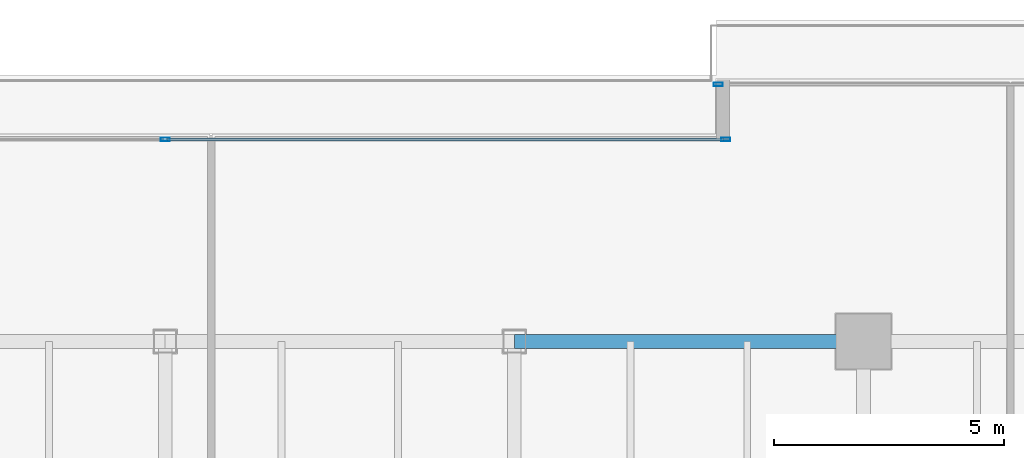
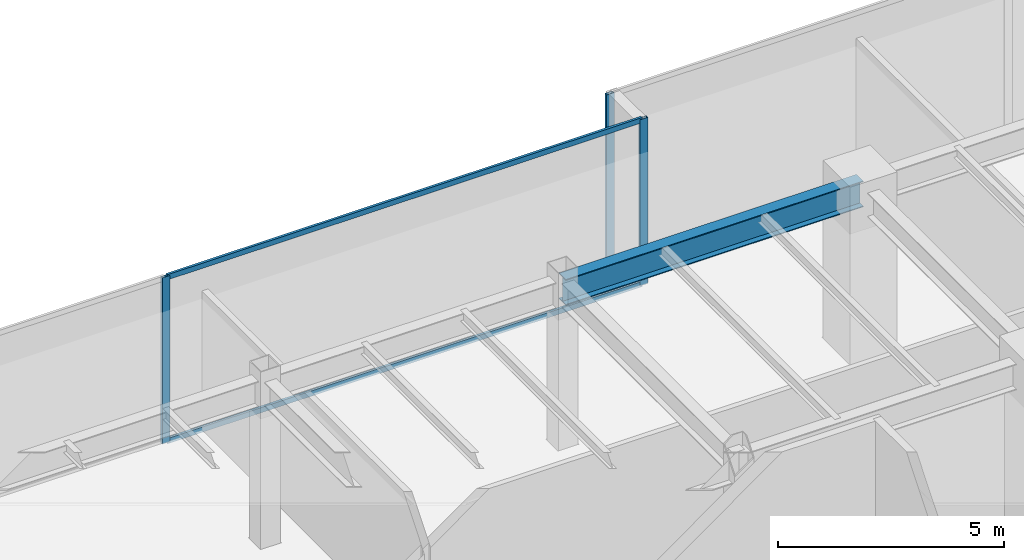
# One storey, part 18 of 33: 5 members, 1 beam, 2 elements without a shape of their own.
"""IFC4 building model written with IfcOpenShell, lengths in metres."""

from ifc_helpers import new_model, si_unit, direction, frame, origin, origin_2d, place, context, subcontext, project, spatial, hollow_rectangle, i_section, extrude, source, transform, mapped, material, layer, layer_set, material_profile, profile_set, type_object, type_shapes, element, aggregate, save


model = new_model("IFC4")

# Units and contexts
model_context = context("Model", 3, precision=1e-05, world=origin(), true_north=direction((0.0, 1.0)))
body_context = subcontext(model_context, "Body", "Model", "MODEL_VIEW")
ifc_project = project(units=[si_unit("LENGTHUNIT", "METRE"), si_unit("AREAUNIT", "SQUARE_METRE"), si_unit("VOLUMEUNIT", "CUBIC_METRE"), si_unit("PLANEANGLEUNIT", "RADIAN"), si_unit("MASSUNIT", "GRAM", prefix="KILO")], contexts=[model_context])

# Site, building, storey
site_placement = place(None, origin())
site = spatial("IfcSite", under=ifc_project, at=site_placement, CompositionType="ELEMENT")
building_placement = place(site_placement, origin())
building = spatial("IfcBuilding", under=site, at=building_placement, Name="Haelvirn Gate Laboratories", CompositionType="ELEMENT")
storey_placement = place(building_placement, frame((0.0, 0.0, 100.300048828125)))
storey = spatial("IfcBuildingStorey", under=building, at=storey_placement, Name="L24", CompositionType="ELEMENT", Elevation=100.300048828125)

# Beam
ifc_material_1 = material(Name="Steel SM355", Category="steel")
ifc_material_profile_1 = material_profile(ifc_material_1, i_section(OverallWidth=0.300048828125, OverallDepth=0.699951171875, WebThickness=0.012939453125, FlangeThickness=0.02392578125, at=origin_2d()), Name="H-700x300x13x24")
ifc_profile_set_1 = profile_set([ifc_material_profile_1], Name="Steel SM355")
beam_type = type_object("IfcBeamType", Name="BM-G-700", PredefinedType="BEAM", material=ifc_profile_set_1)
shared_shape_1 = source(origin(), body_context, "Body", "SweptSolid", [
    extrude(i_section(OverallWidth=0.300048828125, OverallDepth=0.699951171875, WebThickness=0.012939453125, FlangeThickness=0.02392578125, at=origin_2d()), origin(), (0.0, 0.0, 1.0), 7.60009765625),
])
type_shapes(beam_type, [shared_shape_1])
beam_placement = place(storey_placement, frame((45.0, 41.60009765625, 4.139892578125), z_axis=(1.0, 0.0, 0.0), x_axis=(0.0, 1.0, 0.0)))
element("IfcBeam", 1, at=beam_placement, inside=storey, type_object=beam_type, Name="L24 Primary Girder Y41.6 (45.0-52.6)", PredefinedType="BEAM", context=body_context, shape_type="MappedRepresentation", body=[
    mapped(shared_shape_1, transform((0.0, 0.0, 0.0), scale=1.0)),
])

# Curtain wall, member
ifc_material_2 = material(Name="Anodised bronze unitised aluminium & triple low-E glass", Category="aluminium")
ifc_layer = layer(ifc_material_2, 0.179931640625, Name="CW-SYS-3")
ifc_layer_set = layer_set([ifc_layer], Name="Anodised bronze unitised aluminium & triple low-E glass")
curtain_wall_type = type_object("IfcCurtainWallType", Name="CW-SYS-3", PredefinedType="NOTDEFINED", material=ifc_layer_set)
curtain_wall_1_placement = place(storey_placement, origin())
curtain_wall_1 = element("IfcCurtainWall", 2, at=curtain_wall_1_placement, inside=storey, type_object=curtain_wall_type, Name="L24 Unitised Curtain Wall CW-L24-P0-E10-1", PredefinedType="NOTDEFINED")
ifc_material_3 = material(Name="Extruded aluminium 6063-T6 (anodised bronze)", Category="aluminium")
ifc_material_profile_2 = material_profile(ifc_material_3, hollow_rectangle(XDim=0.074951171875, YDim=0.199951171875, WallThickness=0.0048828125, at=origin_2d()), Name="CWM-200x75x5")
ifc_profile_set_2 = profile_set([ifc_material_profile_2], Name="Extruded aluminium 6063-T6 (anodised bronze)")
member_type_1 = type_object("IfcMemberType", Name="CWM-T200", PredefinedType="MULLION", material=ifc_profile_set_2)
shared_shape_2 = source(origin(), body_context, "Body", "SweptSolid", [
    extrude(hollow_rectangle(XDim=0.074951171875, YDim=0.199951171875, WallThickness=0.0048828125, at=origin_2d()), origin(), (0.0, 0.0, 1.0), 4.489990234375),
])
type_shapes(member_type_1, [shared_shape_2])
member_1_placement = place(storey_placement, frame((49.4375, 47.199951171875, 0.0), z_axis=(0.0, 0.0, 1.0), x_axis=(0.0, 1.0, 0.0)))
member_1 = element("IfcMember", 3, at=member_1_placement, type_object=member_type_1, Name="CW3 mullion 1", PredefinedType="MULLION", context=body_context, shape_type="MappedRepresentation", body=[
    mapped(shared_shape_2, transform((0.0, 0.0, 0.0), scale=1.0)),
])
aggregate(curtain_wall_1, [member_1])

# Curtain wall, members
curtain_wall_2_placement = place(storey_placement, origin())
curtain_wall_2 = element("IfcCurtainWall", 4, at=curtain_wall_2_placement, inside=storey, type_object=curtain_wall_type, Name="L24 Unitised Curtain Wall CW-L24-P0-E12-1", PredefinedType="NOTDEFINED")
member_2_placement = place(storey_placement, frame((37.39990234375, 46.0, 0.0), z_axis=(0.0, 0.0, 1.0), x_axis=(0.0, 1.0, 0.0)))
member_2 = element("IfcMember", 5, at=member_2_placement, type_object=member_type_1, Name="CW3 mullion 2", PredefinedType="MULLION", context=body_context, shape_type="MappedRepresentation", body=[
    mapped(shared_shape_2, transform((0.0, 0.0, 0.0), scale=1.0)),
])
member_3_placement = place(storey_placement, frame((49.6025390625, 46.0, 0.0), z_axis=(0.0, 0.0, 1.0), x_axis=(0.0, 1.0, 0.0)))
member_3 = element("IfcMember", 6, at=member_3_placement, type_object=member_type_1, Name="CW3 mullion 3", PredefinedType="MULLION", context=body_context, shape_type="MappedRepresentation", body=[
    mapped(shared_shape_2, transform((0.0, 0.0, 0.0), scale=1.0)),
])
ifc_material_profile_3 = material_profile(ifc_material_3, hollow_rectangle(XDim=0.06494140625, YDim=0.139892578125, WallThickness=0.00390625, at=origin_2d()), Name="CWT-140x65x4")
ifc_profile_set_3 = profile_set([ifc_material_profile_3], Name="Extruded aluminium 6063-T6 (anodised bronze)")
member_type_2 = type_object("IfcMemberType", Name="CWT-T140", PredefinedType="USERDEFINED", material=ifc_profile_set_3)
shared_shape_3 = source(origin(), body_context, "Body", "SweptSolid", [
    extrude(hollow_rectangle(XDim=0.06494140625, YDim=0.139892578125, WallThickness=0.00390625, at=origin_2d()), origin(), (0.0, 0.0, 1.0), 12.12744140625),
])
type_shapes(member_type_2, [shared_shape_3])
member_4_placement = place(storey_placement, frame((37.4375, 46.0, 0.032470703125), z_axis=(1.0, 0.0, 0.0), x_axis=(0.0, 1.0, 0.0)))
member_4 = element("IfcMember", 7, at=member_4_placement, type_object=member_type_2, Name="CW3 transom 2.1", ObjectType="TRANSOM", PredefinedType="USERDEFINED", context=body_context, shape_type="MappedRepresentation", body=[
    mapped(shared_shape_3, transform((0.0, 0.0, 0.0), scale=1.0)),
])
member_5_placement = place(storey_placement, frame((37.4375, 46.0, 4.45751953125), z_axis=(1.0, 0.0, 0.0), x_axis=(0.0, 1.0, 0.0)))
member_5 = element("IfcMember", 8, at=member_5_placement, type_object=member_type_2, Name="CW3 transom 2.2", ObjectType="TRANSOM", PredefinedType="USERDEFINED", context=body_context, shape_type="MappedRepresentation", body=[
    mapped(shared_shape_3, transform((0.0, 0.0, 0.0), scale=1.0)),
])
aggregate(curtain_wall_2, [member_2, member_3, member_4, member_5])

save(model, "model.ifc")
